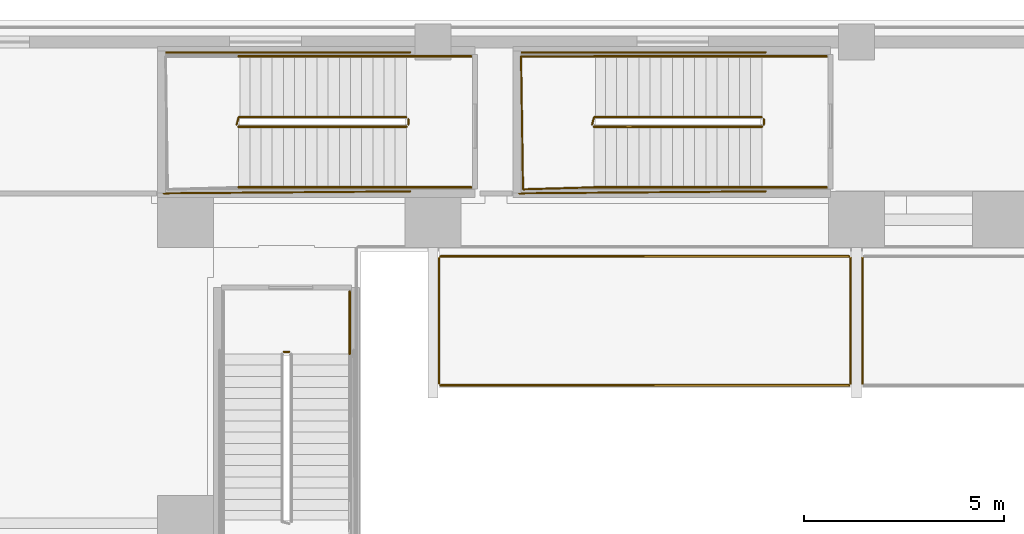
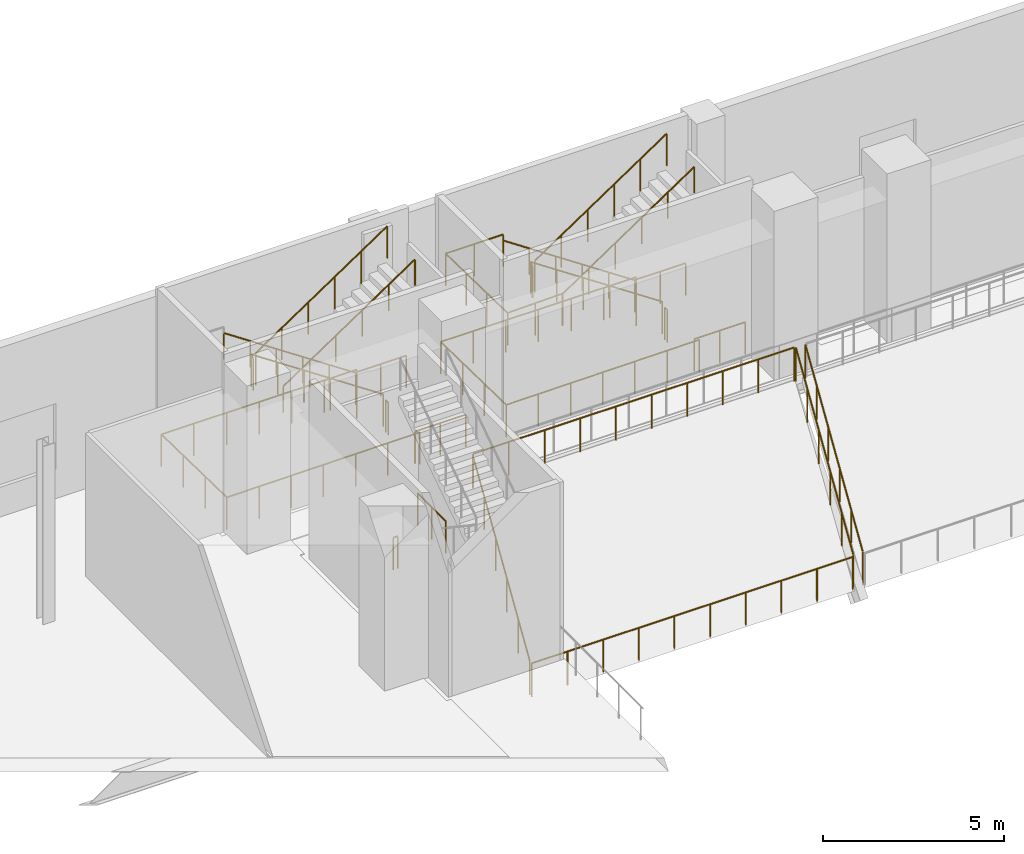
# One storey, part 23 of 30: 24 railings.
"""IFC4 building model written with IfcOpenShell, lengths in metres."""

from ifc_helpers import new_model, si_unit, direction, frame, origin, origin_2d, place, context, subcontext, project, spatial, circle, extrude, material, layer, layer_set, type_object, element, save


model = new_model("IFC4")

# Units and contexts
model_context = context("Model", 3, precision=1e-05, world=origin(), true_north=direction((0.0, 1.0)))
body_context = subcontext(model_context, "Body", "Model", "MODEL_VIEW")
ifc_project = project(units=[si_unit("LENGTHUNIT", "METRE"), si_unit("AREAUNIT", "SQUARE_METRE"), si_unit("VOLUMEUNIT", "CUBIC_METRE"), si_unit("PLANEANGLEUNIT", "RADIAN"), si_unit("MASSUNIT", "GRAM", prefix="KILO")], contexts=[model_context])

# Site, building, storey
site_placement = place(None, origin())
site = spatial("IfcSite", under=ifc_project, at=site_placement, CompositionType="ELEMENT")
building_placement = place(site_placement, origin())
building = spatial("IfcBuilding", under=site, at=building_placement, Name="Ndaravel Arena Tower", CompositionType="ELEMENT")
storey_placement = place(building_placement, frame((0.0, 0.0, 6.0)))
storey = spatial("IfcBuildingStorey", under=building, at=storey_placement, Name="L01", CompositionType="ELEMENT", Elevation=6.0)

# Railings
ifc_material_1 = material(Name="Steel S355", Category="steel")
ifc_layer_1 = layer(ifc_material_1, 0.06005859375)
ifc_layer_set_1 = layer_set([ifc_layer_1], Name="Steel S355")
railing_type_1 = type_object("IfcRailingType", Name="RAIL-STAIR-GD1100", PredefinedType="GUARDRAIL", material=ifc_layer_set_1)
railing_1_placement = place(storey_placement, frame((19.330078125, 45.570068359375, 0.1875)))
element("IfcRailing", 1, at=railing_1_placement, inside=storey, type_object=railing_type_1, Name="L01 ST-A08 stair guard 1", PredefinedType="GUARDRAIL", context=body_context, shape_type="SweptSolid", body=[
    extrude(circle(Radius=0.02392578125, at=origin_2d()), frame((0.0, 0.0, 1.076171875), z_axis=(-0.830919138977, 0.0, 0.55639319234), x_axis=(0.0, -1.0, 0.0)), (0.0, 0.0, 1.0), 5.054931640625),
    extrude(circle(Radius=0.02392578125, at=origin_2d()), frame((-4.2001953125, 0.0, 3.888671875), z_axis=(-0.253331722487, -0.967379469692, 0.0), x_axis=(0.967379469692, -0.253331722487, 0.0)), (0.0, 0.0, 1.0), 0.196533203125),
    extrude(circle(Radius=0.02099609375, at=origin_2d()), origin(), (0.0, 0.0, 1.0), 1.052001953125),
    extrude(circle(Radius=0.02099609375, at=origin_2d()), frame((-0.840087890625, 0.0, 0.5625)), (0.0, 0.0, 1.0), 1.052001953125),
    extrude(circle(Radius=0.02099609375, at=origin_2d()), frame((-1.68017578125, 0.0, 1.125)), (0.0, 0.0, 1.0), 1.052001953125),
    extrude(circle(Radius=0.02099609375, at=origin_2d()), frame((-2.52001953125, 0.0, 1.6875)), (0.0, 0.0, 1.0), 1.052001953125),
    extrude(circle(Radius=0.02099609375, at=origin_2d()), frame((-3.360107421875, 0.0, 2.25)), (0.0, 0.0, 1.0), 1.052001953125),
    extrude(circle(Radius=0.02099609375, at=origin_2d()), frame((-4.2001953125, 0.0, 2.8125)), (0.0, 0.0, 1.0), 1.052001953125),
    extrude(circle(Radius=0.02099609375, at=origin_2d()), frame((-4.25, -0.190185546875, 2.8125)), (0.0, 0.0, 1.0), 1.052001953125),
])
railing_2_placement = place(storey_placement, frame((15.1298828125, 45.330078125, 3.1875)))
element("IfcRailing", 2, at=railing_2_placement, inside=storey, type_object=railing_type_1, Name="L01 ST-A08 stair guard 3", PredefinedType="GUARDRAIL", context=body_context, shape_type="SweptSolid", body=[
    extrude(circle(Radius=0.02392578125, at=origin_2d()), frame((0.0, 0.0, 1.076171875), z_axis=(0.830919138977, 0.0, 0.55639319234), x_axis=(0.0, 1.0, 0.0)), (0.0, 0.0, 1.0), 5.054931640625),
    extrude(circle(Radius=0.02099609375, at=origin_2d()), origin(), (0.0, 0.0, 1.0), 1.052001953125),
    extrude(circle(Radius=0.02099609375, at=origin_2d()), frame((0.840087890625, 0.0, 0.5625)), (0.0, 0.0, 1.0), 1.052001953125),
    extrude(circle(Radius=0.02099609375, at=origin_2d()), frame((1.68017578125, 0.0, 1.125)), (0.0, 0.0, 1.0), 1.052001953125),
    extrude(circle(Radius=0.02099609375, at=origin_2d()), frame((2.52001953125, 0.0, 1.6875)), (0.0, 0.0, 1.0), 1.052001953125),
    extrude(circle(Radius=0.02099609375, at=origin_2d()), frame((3.360107421875, 0.0, 2.25)), (0.0, 0.0, 1.0), 1.052001953125),
    extrude(circle(Radius=0.02099609375, at=origin_2d()), frame((4.2001953125, 0.0, 2.8125)), (0.0, 0.0, 1.0), 1.052001953125),
])
railing_3_placement = place(storey_placement, frame((19.3798828125, 45.52001953125, 0.0)))
element("IfcRailing", 3, at=railing_3_placement, inside=storey, type_object=railing_type_1, Name="L01 ST-A08 stair guard 4", PredefinedType="GUARDRAIL", context=body_context, shape_type="SweptSolid", body=[
    extrude(circle(Radius=0.02392578125, at=origin_2d()), frame((0.0, 0.0, 1.076171875), z_axis=(0.0, -1.0, 0.0), x_axis=(1.0, 0.0, 0.0)), (0.0, 0.0, 1.0), 0.14013671875),
    extrude(circle(Radius=0.02099609375, at=origin_2d()), origin(), (0.0, 0.0, 1.0), 1.052001953125),
    extrude(circle(Radius=0.02099609375, at=origin_2d()), frame((0.0, -0.14013671875, 0.0)), (0.0, 0.0, 1.0), 1.052001953125),
])
for number, where, name in (
    (4, (20.949951171875, 47.090087890625, 0.0), "L01 ST-A08 stair guard 5"),
    (5, (20.949951171875, 43.81005859375, 0.0), "L01 ST-A08 stair guard 6"),
):
    element("IfcRailing", number, at=place(storey_placement, frame(where)), inside=storey, type_object=railing_type_1, Name=name, PredefinedType="GUARDRAIL", context=body_context, shape_type="SweptSolid", body=[
        extrude(circle(Radius=0.02392578125, at=origin_2d()), frame((0.0, 0.0, 1.076171875), z_axis=(-1.0, 0.0, 0.0), x_axis=(0.0, -1.0, 0.0)), (0.0, 0.0, 1.0), 1.619873046875),
        extrude(circle(Radius=0.02099609375, at=origin_2d()), origin(), (0.0, 0.0, 1.0), 1.052001953125),
        extrude(circle(Radius=0.02099609375, at=origin_2d()), frame((-0.81005859375, 0.0, 0.0)), (0.0, 0.0, 1.0), 1.052001953125),
        extrude(circle(Radius=0.02099609375, at=origin_2d()), frame((-1.619873046875, 0.0, 0.0)), (0.0, 0.0, 1.0), 1.052001953125),
    ])
railing_4_placement = place(storey_placement, frame((19.429931640625, 47.18994140625, 0.0)))
element("IfcRailing", 6, at=railing_4_placement, inside=storey, type_object=railing_type_1, Name="L01 ST-A08 stair guard 7", PredefinedType="GUARDRAIL", context=body_context, shape_type="SweptSolid", body=[
    extrude(circle(Radius=0.02392578125, at=origin_2d()), frame((0.0, 0.0, 1.076171875), z_axis=(-1.0, 0.0, 0.0), x_axis=(0.0, -1.0, 0.0)), (0.0, 0.0, 1.0), 6.22998046875),
    extrude(circle(Radius=0.02392578125, at=origin_2d()), frame((-6.22998046875, 0.0, 1.076171875), z_axis=(0.014176595818, -0.999899507016, 0.0), x_axis=(0.999899507016, 0.014176595818, 0.0)), (0.0, 0.0, 1.0), 3.5302734375),
    extrude(circle(Radius=0.02392578125, at=origin_2d()), frame((-6.179931640625, -3.530029296875, 1.076171875), z_axis=(0.999967207908, 0.008098339889, 0.0), x_axis=(-0.008098339889, 0.999967207908, 0.0)), (0.0, 0.0, 1.0), 6.18017578125),
    extrude(circle(Radius=0.02099609375, at=origin_2d()), origin(), (0.0, 0.0, 1.0), 1.052001953125),
    extrude(circle(Radius=0.02099609375, at=origin_2d()), frame((-1.038330078125, 0.0, 0.0)), (0.0, 0.0, 1.0), 1.052001953125),
    extrude(circle(Radius=0.02099609375, at=origin_2d()), frame((-2.07666015625, 0.0, 0.0)), (0.0, 0.0, 1.0), 1.052001953125),
    extrude(circle(Radius=0.02099609375, at=origin_2d()), frame((-3.114990234375, 0.0, 0.0)), (0.0, 0.0, 1.0), 1.052001953125),
    extrude(circle(Radius=0.02099609375, at=origin_2d()), frame((-4.1533203125, 0.0, 0.0)), (0.0, 0.0, 1.0), 1.052001953125),
    extrude(circle(Radius=0.02099609375, at=origin_2d()), frame((-5.191650390625, 0.0, 0.0)), (0.0, 0.0, 1.0), 1.052001953125),
    extrude(circle(Radius=0.02099609375, at=origin_2d()), frame((-6.22998046875, 0.0, 0.0)), (0.0, 0.0, 1.0), 1.052001953125),
    extrude(circle(Radius=0.02099609375, at=origin_2d()), frame((-6.21337890625, -1.1767578125, 0.0)), (0.0, 0.0, 1.0), 1.052001953125),
    extrude(circle(Radius=0.02099609375, at=origin_2d()), frame((-6.196533203125, -2.353271484375, 0.0)), (0.0, 0.0, 1.0), 1.052001953125),
    extrude(circle(Radius=0.02099609375, at=origin_2d()), frame((-6.179931640625, -3.530029296875, 0.0)), (0.0, 0.0, 1.0), 1.052001953125),
    extrude(circle(Radius=0.02099609375, at=origin_2d()), frame((-5.14990234375, -3.521728515625, 0.0)), (0.0, 0.0, 1.0), 1.052001953125),
    extrude(circle(Radius=0.02099609375, at=origin_2d()), frame((-4.119873046875, -3.513427734375, 0.0)), (0.0, 0.0, 1.0), 1.052001953125),
    extrude(circle(Radius=0.02099609375, at=origin_2d()), frame((-3.08984375, -3.5048828125, 0.0)), (0.0, 0.0, 1.0), 1.052001953125),
    extrude(circle(Radius=0.02099609375, at=origin_2d()), frame((-2.06005859375, -3.49658203125, 0.0)), (0.0, 0.0, 1.0), 1.052001953125),
    extrude(circle(Radius=0.02099609375, at=origin_2d()), frame((-1.030029296875, -3.48828125, 0.0)), (0.0, 0.0, 1.0), 1.052001953125),
    extrude(circle(Radius=0.02099609375, at=origin_2d()), frame((0.0, -3.47998046875, 0.0)), (0.0, 0.0, 1.0), 1.052001953125),
])
railing_5_placement = place(storey_placement, frame((28.22998046875, 45.570068359375, 0.1875)))
element("IfcRailing", 7, at=railing_5_placement, inside=storey, type_object=railing_type_1, Name="L01 ST-A09 stair guard 1", PredefinedType="GUARDRAIL", context=body_context, shape_type="SweptSolid", body=[
    extrude(circle(Radius=0.02392578125, at=origin_2d()), frame((0.0, 0.0, 1.076171875), z_axis=(-0.830904186295, 0.0, 0.556415522067), x_axis=(0.0, -1.0, 0.0)), (0.0, 0.0, 1.0), 5.0546875),
    extrude(circle(Radius=0.02392578125, at=origin_2d()), frame((-4.199951171875, 0.0, 3.888671875), z_axis=(-0.25449329928, -0.967074537263, 0.0), x_axis=(0.967074537263, -0.25449329928, 0.0)), (0.0, 0.0, 1.0), 0.19677734375),
    extrude(circle(Radius=0.02099609375, at=origin_2d()), origin(), (0.0, 0.0, 1.0), 1.052001953125),
    extrude(circle(Radius=0.02099609375, at=origin_2d()), frame((-0.840087890625, 0.0, 0.5625)), (0.0, 0.0, 1.0), 1.052001953125),
    extrude(circle(Radius=0.02099609375, at=origin_2d()), frame((-1.679931640625, 0.0, 1.125)), (0.0, 0.0, 1.0), 1.052001953125),
    extrude(circle(Radius=0.02099609375, at=origin_2d()), frame((-2.52001953125, 0.0, 1.6875)), (0.0, 0.0, 1.0), 1.052001953125),
    extrude(circle(Radius=0.02099609375, at=origin_2d()), frame((-3.35986328125, 0.0, 2.25)), (0.0, 0.0, 1.0), 1.052001953125),
    extrude(circle(Radius=0.02099609375, at=origin_2d()), frame((-4.199951171875, 0.0, 2.8125)), (0.0, 0.0, 1.0), 1.052001953125),
    extrude(circle(Radius=0.02099609375, at=origin_2d()), frame((-4.25, -0.190185546875, 2.8125)), (0.0, 0.0, 1.0), 1.052001953125),
])
railing_6_placement = place(storey_placement, frame((24.030029296875, 47.090087890625, 3.0)))
element("IfcRailing", 8, at=railing_6_placement, inside=storey, type_object=railing_type_1, Name="L01 ST-A09 stair guard 2", PredefinedType="GUARDRAIL", context=body_context, shape_type="SweptSolid", body=[
    extrude(circle(Radius=0.02392578125, at=origin_2d()), frame((0.0, 0.0, 1.076171875), z_axis=(-1.0, 0.0, 0.0), x_axis=(0.0, -1.0, 0.0)), (0.0, 0.0, 1.0), 1.830078125),
    extrude(circle(Radius=0.02392578125, at=origin_2d()), frame((-1.830078125, 0.0, 1.076171875), z_axis=(0.015027628384, -0.999887078817, 0.0), x_axis=(0.999887078817, 0.015027628384, 0.0)), (0.0, 0.0, 1.0), 3.33056640625),
    extrude(circle(Radius=0.02392578125, at=origin_2d()), frame((-1.780029296875, -3.330078125, 1.076171875), z_axis=(0.999604955407, 0.028105748986, 0.0), x_axis=(-0.028105748986, 0.999604955407, 0.0)), (0.0, 0.0, 1.0), 1.78076171875),
    extrude(circle(Radius=0.02099609375, at=origin_2d()), origin(), (0.0, 0.0, 1.0), 1.052001953125),
    extrude(circle(Radius=0.02099609375, at=origin_2d()), frame((-0.9150390625, 0.0, 0.0)), (0.0, 0.0, 1.0), 1.052001953125),
    extrude(circle(Radius=0.02099609375, at=origin_2d()), frame((-1.830078125, 0.0, 0.0)), (0.0, 0.0, 1.0), 1.052001953125),
    extrude(circle(Radius=0.02099609375, at=origin_2d()), frame((-1.8134765625, -1.110107421875, 0.0)), (0.0, 0.0, 1.0), 1.052001953125),
    extrude(circle(Radius=0.02099609375, at=origin_2d()), frame((-1.796630859375, -2.219970703125, 0.0)), (0.0, 0.0, 1.0), 1.052001953125),
    extrude(circle(Radius=0.02099609375, at=origin_2d()), frame((-1.780029296875, -3.330078125, 0.0)), (0.0, 0.0, 1.0), 1.052001953125),
    extrude(circle(Radius=0.02099609375, at=origin_2d()), frame((-0.89013671875, -3.30517578125, 0.0)), (0.0, 0.0, 1.0), 1.052001953125),
    extrude(circle(Radius=0.02099609375, at=origin_2d()), frame((0.0, -3.280029296875, 0.0)), (0.0, 0.0, 1.0), 1.052001953125),
])
railing_7_placement = place(storey_placement, frame((24.030029296875, 45.330078125, 3.1875)))
element("IfcRailing", 9, at=railing_7_placement, inside=storey, type_object=railing_type_1, Name="L01 ST-A09 stair guard 3", PredefinedType="GUARDRAIL", context=body_context, shape_type="SweptSolid", body=[
    extrude(circle(Radius=0.02392578125, at=origin_2d()), frame((0.0, 0.0, 1.076171875), z_axis=(0.830904186295, 0.0, 0.556415522067), x_axis=(0.0, 1.0, 0.0)), (0.0, 0.0, 1.0), 5.0546875),
    extrude(circle(Radius=0.02099609375, at=origin_2d()), origin(), (0.0, 0.0, 1.0), 1.052001953125),
    extrude(circle(Radius=0.02099609375, at=origin_2d()), frame((0.840087890625, 0.0, 0.5625)), (0.0, 0.0, 1.0), 1.052001953125),
    extrude(circle(Radius=0.02099609375, at=origin_2d()), frame((1.679931640625, 0.0, 1.125)), (0.0, 0.0, 1.0), 1.052001953125),
    extrude(circle(Radius=0.02099609375, at=origin_2d()), frame((2.52001953125, 0.0, 1.6875)), (0.0, 0.0, 1.0), 1.052001953125),
    extrude(circle(Radius=0.02099609375, at=origin_2d()), frame((3.35986328125, 0.0, 2.25)), (0.0, 0.0, 1.0), 1.052001953125),
    extrude(circle(Radius=0.02099609375, at=origin_2d()), frame((4.199951171875, 0.0, 2.8125)), (0.0, 0.0, 1.0), 1.052001953125),
])
railing_8_placement = place(storey_placement, frame((28.280029296875, 45.52001953125, 0.0)))
element("IfcRailing", 10, at=railing_8_placement, inside=storey, type_object=railing_type_1, Name="L01 ST-A09 stair guard 4", PredefinedType="GUARDRAIL", context=body_context, shape_type="SweptSolid", body=[
    extrude(circle(Radius=0.02392578125, at=origin_2d()), frame((0.0, 0.0, 1.076171875), z_axis=(0.0, -1.0, 0.0), x_axis=(1.0, 0.0, 0.0)), (0.0, 0.0, 1.0), 0.14013671875),
    extrude(circle(Radius=0.02099609375, at=origin_2d()), origin(), (0.0, 0.0, 1.0), 1.052001953125),
    extrude(circle(Radius=0.02099609375, at=origin_2d()), frame((0.0, -0.14013671875, 0.0)), (0.0, 0.0, 1.0), 1.052001953125),
])
for number, where, name in (
    (11, (29.85009765625, 47.090087890625, 0.0), "L01 ST-A09 stair guard 5"),
    (12, (29.85009765625, 43.81005859375, 0.0), "L01 ST-A09 stair guard 6"),
):
    element("IfcRailing", number, at=place(storey_placement, frame(where)), inside=storey, type_object=railing_type_1, Name=name, PredefinedType="GUARDRAIL", context=body_context, shape_type="SweptSolid", body=[
        extrude(circle(Radius=0.02392578125, at=origin_2d()), frame((0.0, 0.0, 1.076171875), z_axis=(-1.0, 0.0, 0.0), x_axis=(0.0, -1.0, 0.0)), (0.0, 0.0, 1.0), 1.6201171875),
        extrude(circle(Radius=0.02099609375, at=origin_2d()), origin(), (0.0, 0.0, 1.0), 1.052001953125),
        extrude(circle(Radius=0.02099609375, at=origin_2d()), frame((-0.81005859375, 0.0, 0.0)), (0.0, 0.0, 1.0), 1.052001953125),
        extrude(circle(Radius=0.02099609375, at=origin_2d()), frame((-1.6201171875, 0.0, 0.0)), (0.0, 0.0, 1.0), 1.052001953125),
    ])
railing_9_placement = place(storey_placement, frame((28.330078125, 47.18994140625, 0.0)))
element("IfcRailing", 13, at=railing_9_placement, inside=storey, type_object=railing_type_1, Name="L01 ST-A09 stair guard 7", PredefinedType="GUARDRAIL", context=body_context, shape_type="SweptSolid", body=[
    extrude(circle(Radius=0.02392578125, at=origin_2d()), frame((0.0, 0.0, 1.076171875), z_axis=(-1.0, 0.0, 0.0), x_axis=(0.0, -1.0, 0.0)), (0.0, 0.0, 1.0), 6.22998046875),
    extrude(circle(Radius=0.02392578125, at=origin_2d()), frame((-6.22998046875, 0.0, 1.076171875), z_axis=(0.014107455489, -0.999900484898, 0.0), x_axis=(0.999900484898, 0.014107455489, 0.0)), (0.0, 0.0, 1.0), 3.5302734375),
    extrude(circle(Radius=0.02392578125, at=origin_2d()), frame((-6.18017578125, -3.530029296875, 1.076171875), z_axis=(0.999967210499, 0.008098019995, 0.0), x_axis=(-0.008098019995, 0.999967210499, 0.0)), (0.0, 0.0, 1.0), 6.180419921875),
    extrude(circle(Radius=0.02099609375, at=origin_2d()), origin(), (0.0, 0.0, 1.0), 1.052001953125),
    extrude(circle(Radius=0.02099609375, at=origin_2d()), frame((-1.038330078125, 0.0, 0.0)), (0.0, 0.0, 1.0), 1.052001953125),
    extrude(circle(Radius=0.02099609375, at=origin_2d()), frame((-2.07666015625, 0.0, 0.0)), (0.0, 0.0, 1.0), 1.052001953125),
    extrude(circle(Radius=0.02099609375, at=origin_2d()), frame((-3.114990234375, 0.0, 0.0)), (0.0, 0.0, 1.0), 1.052001953125),
    extrude(circle(Radius=0.02099609375, at=origin_2d()), frame((-4.1533203125, 0.0, 0.0)), (0.0, 0.0, 1.0), 1.052001953125),
    extrude(circle(Radius=0.02099609375, at=origin_2d()), frame((-5.191650390625, 0.0, 0.0)), (0.0, 0.0, 1.0), 1.052001953125),
    extrude(circle(Radius=0.02099609375, at=origin_2d()), frame((-6.22998046875, 0.0, 0.0)), (0.0, 0.0, 1.0), 1.052001953125),
    extrude(circle(Radius=0.02099609375, at=origin_2d()), frame((-6.21337890625, -1.1767578125, 0.0)), (0.0, 0.0, 1.0), 1.052001953125),
    extrude(circle(Radius=0.02099609375, at=origin_2d()), frame((-6.19677734375, -2.353271484375, 0.0)), (0.0, 0.0, 1.0), 1.052001953125),
    extrude(circle(Radius=0.02099609375, at=origin_2d()), frame((-6.18017578125, -3.530029296875, 0.0)), (0.0, 0.0, 1.0), 1.052001953125),
    extrude(circle(Radius=0.02099609375, at=origin_2d()), frame((-5.150146484375, -3.521728515625, 0.0)), (0.0, 0.0, 1.0), 1.052001953125),
    extrude(circle(Radius=0.02099609375, at=origin_2d()), frame((-4.1201171875, -3.513427734375, 0.0)), (0.0, 0.0, 1.0), 1.052001953125),
    extrude(circle(Radius=0.02099609375, at=origin_2d()), frame((-3.090087890625, -3.5048828125, 0.0)), (0.0, 0.0, 1.0), 1.052001953125),
    extrude(circle(Radius=0.02099609375, at=origin_2d()), frame((-2.06005859375, -3.49658203125, 0.0)), (0.0, 0.0, 1.0), 1.052001953125),
    extrude(circle(Radius=0.02099609375, at=origin_2d()), frame((-1.030029296875, -3.48828125, 0.0)), (0.0, 0.0, 1.0), 1.052001953125),
    extrude(circle(Radius=0.02099609375, at=origin_2d()), frame((0.0, -3.47998046875, 0.0)), (0.0, 0.0, 1.0), 1.052001953125),
])
railing_10_placement = place(storey_placement, frame((16.260009765625, 39.68994140625, 0.0)))
element("IfcRailing", 14, at=railing_10_placement, inside=storey, type_object=railing_type_1, Name="L01 ST-VOM-2 stair guard 4", PredefinedType="GUARDRAIL", context=body_context, shape_type="SweptSolid", body=[
    extrude(circle(Radius=0.02392578125, at=origin_2d()), frame((0.0, 0.0, 1.076171875), z_axis=(1.0, 0.0, 0.0), x_axis=(0.0, 1.0, 0.0)), (0.0, 0.0, 1.0), 0.139892578125),
    extrude(circle(Radius=0.02099609375, at=origin_2d()), origin(), (0.0, 0.0, 1.0), 1.052001953125),
    extrude(circle(Radius=0.02099609375, at=origin_2d()), frame((0.139892578125, 0.0, 0.0)), (0.0, 0.0, 1.0), 1.052001953125),
])
railing_11_placement = place(storey_placement, frame((17.909912109375, 41.199951171875, 0.0)))
element("IfcRailing", 15, at=railing_11_placement, inside=storey, type_object=railing_type_1, Name="L01 ST-VOM-2 stair guard 6", PredefinedType="GUARDRAIL", context=body_context, shape_type="SweptSolid", body=[
    extrude(circle(Radius=0.02392578125, at=origin_2d()), frame((0.0, 0.0, 1.076171875), z_axis=(0.0, -1.0, 0.0), x_axis=(1.0, 0.0, 0.0)), (0.0, 0.0, 1.0), 1.56005859375),
    extrude(circle(Radius=0.02099609375, at=origin_2d()), origin(), (0.0, 0.0, 1.0), 1.052001953125),
    extrude(circle(Radius=0.02099609375, at=origin_2d()), frame((0.0, -0.780029296875, 0.0)), (0.0, 0.0, 1.0), 1.052001953125),
    extrude(circle(Radius=0.02099609375, at=origin_2d()), frame((0.0, -1.56005859375, 0.0)), (0.0, 0.0, 1.0), 1.052001953125),
])
ifc_material_2 = material(Name="Steel S355", Category="steel")
ifc_layer_2 = layer(ifc_material_2, 0.050048828125)
ifc_layer_set_2 = layer_set([ifc_layer_2], Name="Steel S355")
railing_type_2 = type_object("IfcRailingType", Name="RAIL-STAIR-HR920", PredefinedType="HANDRAIL", material=ifc_layer_set_2)
railing_12_placement = place(storey_placement, frame((19.330078125, 47.090087890625, 0.1875)))
element("IfcRailing", 16, at=railing_12_placement, inside=storey, type_object=railing_type_2, Name="L01 ST-A08 stair handrail 1", PredefinedType="HANDRAIL", context=body_context, shape_type="SweptSolid", body=[
    extrude(circle(Radius=0.02392578125, at=origin_2d()), frame((0.0, 0.0, 0.8759765625), z_axis=(-0.830919138977, 0.0, 0.55639319234), x_axis=(0.0, -1.0, 0.0)), (0.0, 0.0, 1.0), 5.054931640625),
    extrude(circle(Radius=0.02099609375, at=origin_2d()), origin(), (0.0, 0.0, 1.0), 0.851806640625),
    extrude(circle(Radius=0.02099609375, at=origin_2d()), frame((-0.840087890625, 0.0, 0.5625)), (0.0, 0.0, 1.0), 0.851806640625),
    extrude(circle(Radius=0.02099609375, at=origin_2d()), frame((-1.68017578125, 0.0, 1.125)), (0.0, 0.0, 1.0), 0.851806640625),
    extrude(circle(Radius=0.02099609375, at=origin_2d()), frame((-2.52001953125, 0.0, 1.6875)), (0.0, 0.0, 1.0), 0.851806640625),
    extrude(circle(Radius=0.02099609375, at=origin_2d()), frame((-3.360107421875, 0.0, 2.25)), (0.0, 0.0, 1.0), 0.851806640625),
    extrude(circle(Radius=0.02099609375, at=origin_2d()), frame((-4.2001953125, 0.0, 2.8125)), (0.0, 0.0, 1.0), 0.851806640625),
])
railing_13_placement = place(storey_placement, frame((15.1298828125, 43.81005859375, 3.1875)))
element("IfcRailing", 17, at=railing_13_placement, inside=storey, type_object=railing_type_2, Name="L01 ST-A08 stair handrail 2", PredefinedType="HANDRAIL", context=body_context, shape_type="SweptSolid", body=[
    extrude(circle(Radius=0.02392578125, at=origin_2d()), frame((0.0, 0.0, 0.8759765625), z_axis=(0.830919138977, 0.0, 0.55639319234), x_axis=(0.0, 1.0, 0.0)), (0.0, 0.0, 1.0), 5.054931640625),
    extrude(circle(Radius=0.02099609375, at=origin_2d()), origin(), (0.0, 0.0, 1.0), 0.851806640625),
    extrude(circle(Radius=0.02099609375, at=origin_2d()), frame((0.840087890625, 0.0, 0.5625)), (0.0, 0.0, 1.0), 0.851806640625),
    extrude(circle(Radius=0.02099609375, at=origin_2d()), frame((1.68017578125, 0.0, 1.125)), (0.0, 0.0, 1.0), 0.851806640625),
    extrude(circle(Radius=0.02099609375, at=origin_2d()), frame((2.52001953125, 0.0, 1.6875)), (0.0, 0.0, 1.0), 0.851806640625),
    extrude(circle(Radius=0.02099609375, at=origin_2d()), frame((3.360107421875, 0.0, 2.25)), (0.0, 0.0, 1.0), 0.851806640625),
    extrude(circle(Radius=0.02099609375, at=origin_2d()), frame((4.2001953125, 0.0, 2.8125)), (0.0, 0.0, 1.0), 0.851806640625),
])
railing_14_placement = place(storey_placement, frame((28.22998046875, 47.090087890625, 0.1875)))
element("IfcRailing", 18, at=railing_14_placement, inside=storey, type_object=railing_type_2, Name="L01 ST-A09 stair handrail 1", PredefinedType="HANDRAIL", context=body_context, shape_type="SweptSolid", body=[
    extrude(circle(Radius=0.02392578125, at=origin_2d()), frame((0.0, 0.0, 0.8759765625), z_axis=(-0.830904186295, 0.0, 0.556415522067), x_axis=(0.0, -1.0, 0.0)), (0.0, 0.0, 1.0), 5.0546875),
    extrude(circle(Radius=0.02099609375, at=origin_2d()), origin(), (0.0, 0.0, 1.0), 0.851806640625),
    extrude(circle(Radius=0.02099609375, at=origin_2d()), frame((-0.840087890625, 0.0, 0.5625)), (0.0, 0.0, 1.0), 0.851806640625),
    extrude(circle(Radius=0.02099609375, at=origin_2d()), frame((-1.679931640625, 0.0, 1.125)), (0.0, 0.0, 1.0), 0.851806640625),
    extrude(circle(Radius=0.02099609375, at=origin_2d()), frame((-2.52001953125, 0.0, 1.6875)), (0.0, 0.0, 1.0), 0.851806640625),
    extrude(circle(Radius=0.02099609375, at=origin_2d()), frame((-3.35986328125, 0.0, 2.25)), (0.0, 0.0, 1.0), 0.851806640625),
    extrude(circle(Radius=0.02099609375, at=origin_2d()), frame((-4.199951171875, 0.0, 2.8125)), (0.0, 0.0, 1.0), 0.851806640625),
])
railing_15_placement = place(storey_placement, frame((24.030029296875, 43.81005859375, 3.1875)))
element("IfcRailing", 19, at=railing_15_placement, inside=storey, type_object=railing_type_2, Name="L01 ST-A09 stair handrail 2", PredefinedType="HANDRAIL", context=body_context, shape_type="SweptSolid", body=[
    extrude(circle(Radius=0.02392578125, at=origin_2d()), frame((0.0, 0.0, 0.8759765625), z_axis=(0.830904186295, 0.0, 0.556415522067), x_axis=(0.0, 1.0, 0.0)), (0.0, 0.0, 1.0), 5.0546875),
    extrude(circle(Radius=0.02099609375, at=origin_2d()), origin(), (0.0, 0.0, 1.0), 0.851806640625),
    extrude(circle(Radius=0.02099609375, at=origin_2d()), frame((0.840087890625, 0.0, 0.5625)), (0.0, 0.0, 1.0), 0.851806640625),
    extrude(circle(Radius=0.02099609375, at=origin_2d()), frame((1.679931640625, 0.0, 1.125)), (0.0, 0.0, 1.0), 0.851806640625),
    extrude(circle(Radius=0.02099609375, at=origin_2d()), frame((2.52001953125, 0.0, 1.6875)), (0.0, 0.0, 1.0), 0.851806640625),
    extrude(circle(Radius=0.02099609375, at=origin_2d()), frame((3.35986328125, 0.0, 2.25)), (0.0, 0.0, 1.0), 0.851806640625),
    extrude(circle(Radius=0.02099609375, at=origin_2d()), frame((4.199951171875, 0.0, 2.8125)), (0.0, 0.0, 1.0), 0.851806640625),
])
ifc_material_3 = material(Name="Glazing", Category="glass")
ifc_layer_3 = layer(ifc_material_3, 0.070068359375)
ifc_layer_set_3 = layer_set([ifc_layer_3], Name="Glazing")
railing_type_3 = type_object("IfcRailingType", Name="RAIL-TERRACE-1150", PredefinedType="BALUSTRADE", material=ifc_layer_set_3)
railing_16_placement = place(storey_placement, frame((20.14990234375, 42.050048828125, -0.050048828125)))
element("IfcRailing", 20, at=railing_16_placement, inside=storey, type_object=railing_type_3, Name="L01 Lower North Stand Guard 1W", PredefinedType="BALUSTRADE", context=body_context, shape_type="SweptSolid", body=[
    extrude(circle(Radius=0.02392578125, at=origin_2d()), frame((0.0, 0.0, 1.1259765625), z_axis=(0.0, -0.531223134667, -0.847231952416), x_axis=(1.0, 0.0, 0.0)), (0.0, 0.0, 1.0), 5.94873046875),
    extrude(circle(Radius=0.02099609375, at=origin_2d()), origin(), (0.0, 0.0, 1.0), 1.101806640625),
    extrude(circle(Radius=0.02099609375, at=origin_2d()), frame((0.0, -0.632080078125, -1.008056640625)), (0.0, 0.0, 1.0), 1.101806640625),
    extrude(circle(Radius=0.02099609375, at=origin_2d()), frame((0.0, -1.26416015625, -2.01611328125)), (0.0, 0.0, 1.0), 1.101806640625),
    extrude(circle(Radius=0.02099609375, at=origin_2d()), frame((0.0, -1.89599609375, -3.02392578125)), (0.0, 0.0, 1.0), 1.101806640625),
    extrude(circle(Radius=0.02099609375, at=origin_2d()), frame((0.0, -2.528076171875, -4.031982421875)), (0.0, 0.0, 1.0), 1.101806640625),
    extrude(circle(Radius=0.02099609375, at=origin_2d()), frame((0.0, -3.16015625, -5.0400390625)), (0.0, 0.0, 1.0), 1.101806640625),
])
railing_17_placement = place(storey_placement, frame((20.18994140625, 38.85009765625, -5.14990234375)))
element("IfcRailing", 21, at=railing_17_placement, inside=storey, type_object=railing_type_3, Name="L01 Lower North Stand Guard 1F", PredefinedType="BALUSTRADE", context=body_context, shape_type="SweptSolid", body=[
    extrude(circle(Radius=0.02392578125, at=origin_2d()), frame((0.0, 0.0, 1.1259765625), z_axis=(1.0, 0.0, 0.0), x_axis=(0.0, 1.0, 0.0)), (0.0, 0.0, 1.0), 10.219970703125),
    extrude(circle(Radius=0.02099609375, at=origin_2d()), origin(), (0.0, 0.0, 1.0), 1.101806640625),
    extrude(circle(Radius=0.02099609375, at=origin_2d()), frame((1.135498046875, 0.0, 0.0)), (0.0, 0.0, 1.0), 1.101806640625),
    extrude(circle(Radius=0.02099609375, at=origin_2d()), frame((2.27099609375, 0.0, 0.0)), (0.0, 0.0, 1.0), 1.101806640625),
    extrude(circle(Radius=0.02099609375, at=origin_2d()), frame((3.40673828125, 0.0, 0.0)), (0.0, 0.0, 1.0), 1.101806640625),
    extrude(circle(Radius=0.02099609375, at=origin_2d()), frame((4.542236328125, 0.0, 0.0)), (0.0, 0.0, 1.0), 1.101806640625),
    extrude(circle(Radius=0.02099609375, at=origin_2d()), frame((5.677734375, 0.0, 0.0)), (0.0, 0.0, 1.0), 1.101806640625),
    extrude(circle(Radius=0.02099609375, at=origin_2d()), frame((6.813232421875, 0.0, 0.0)), (0.0, 0.0, 1.0), 1.101806640625),
    extrude(circle(Radius=0.02099609375, at=origin_2d()), frame((7.948974609375, 0.0, 0.0)), (0.0, 0.0, 1.0), 1.101806640625),
    extrude(circle(Radius=0.02099609375, at=origin_2d()), frame((9.08447265625, 0.0, 0.0)), (0.0, 0.0, 1.0), 1.101806640625),
    extrude(circle(Radius=0.02099609375, at=origin_2d()), frame((10.219970703125, 0.0, 0.0)), (0.0, 0.0, 1.0), 1.101806640625),
])
railing_18_placement = place(storey_placement, frame((30.449951171875, 38.889892578125, -5.090087890625)))
element("IfcRailing", 22, at=railing_18_placement, inside=storey, type_object=railing_type_3, Name="L01 Lower North Stand Guard 1E", PredefinedType="BALUSTRADE", context=body_context, shape_type="SweptSolid", body=[
    extrude(circle(Radius=0.02392578125, at=origin_2d()), frame((0.0, 0.0, 1.1259765625), z_axis=(0.0, 0.531223134667, 0.847231952416), x_axis=(-1.0, 0.0, 0.0)), (0.0, 0.0, 1.0), 5.94873046875),
    extrude(circle(Radius=0.02099609375, at=origin_2d()), origin(), (0.0, 0.0, 1.0), 1.101806640625),
    extrude(circle(Radius=0.02099609375, at=origin_2d()), frame((0.0, 0.632080078125, 1.008056640625)), (0.0, 0.0, 1.0), 1.101806640625),
    extrude(circle(Radius=0.02099609375, at=origin_2d()), frame((0.0, 1.26416015625, 2.01611328125)), (0.0, 0.0, 1.0), 1.101806640625),
    extrude(circle(Radius=0.02099609375, at=origin_2d()), frame((0.0, 1.89599609375, 3.02392578125)), (0.0, 0.0, 1.0), 1.101806640625),
    extrude(circle(Radius=0.02099609375, at=origin_2d()), frame((0.0, 2.528076171875, 4.031982421875)), (0.0, 0.0, 1.0), 1.101806640625),
    extrude(circle(Radius=0.02099609375, at=origin_2d()), frame((0.0, 3.16015625, 5.0400390625)), (0.0, 0.0, 1.0), 1.101806640625),
])
railing_19_placement = place(storey_placement, frame((20.18994140625, 42.080078125, -0.050048828125)))
element("IfcRailing", 23, at=railing_19_placement, inside=storey, type_object=railing_type_3, Name="L01 Lower North Stand Guard 1T", PredefinedType="BALUSTRADE", context=body_context, shape_type="SweptSolid", body=[
    extrude(circle(Radius=0.02392578125, at=origin_2d()), frame((0.0, 0.0, 1.1259765625), z_axis=(1.0, 0.0, 0.0), x_axis=(0.0, 1.0, 0.0)), (0.0, 0.0, 1.0), 10.219970703125),
    extrude(circle(Radius=0.02099609375, at=origin_2d()), origin(), (0.0, 0.0, 1.0), 1.101806640625),
    extrude(circle(Radius=0.02099609375, at=origin_2d()), frame((1.135498046875, 0.0, 0.0)), (0.0, 0.0, 1.0), 1.101806640625),
    extrude(circle(Radius=0.02099609375, at=origin_2d()), frame((2.27099609375, 0.0, 0.0)), (0.0, 0.0, 1.0), 1.101806640625),
    extrude(circle(Radius=0.02099609375, at=origin_2d()), frame((3.40673828125, 0.0, 0.0)), (0.0, 0.0, 1.0), 1.101806640625),
    extrude(circle(Radius=0.02099609375, at=origin_2d()), frame((4.542236328125, 0.0, 0.0)), (0.0, 0.0, 1.0), 1.101806640625),
    extrude(circle(Radius=0.02099609375, at=origin_2d()), frame((5.677734375, 0.0, 0.0)), (0.0, 0.0, 1.0), 1.101806640625),
    extrude(circle(Radius=0.02099609375, at=origin_2d()), frame((6.813232421875, 0.0, 0.0)), (0.0, 0.0, 1.0), 1.101806640625),
    extrude(circle(Radius=0.02099609375, at=origin_2d()), frame((7.948974609375, 0.0, 0.0)), (0.0, 0.0, 1.0), 1.101806640625),
    extrude(circle(Radius=0.02099609375, at=origin_2d()), frame((9.08447265625, 0.0, 0.0)), (0.0, 0.0, 1.0), 1.101806640625),
    extrude(circle(Radius=0.02099609375, at=origin_2d()), frame((10.219970703125, 0.0, 0.0)), (0.0, 0.0, 1.0), 1.101806640625),
])
railing_20_placement = place(storey_placement, frame((30.75, 42.050048828125, -0.050048828125)))
element("IfcRailing", 24, at=railing_20_placement, inside=storey, type_object=railing_type_3, Name="L01 Lower North Stand Guard 2W", PredefinedType="BALUSTRADE", context=body_context, shape_type="SweptSolid", body=[
    extrude(circle(Radius=0.02392578125, at=origin_2d()), frame((0.0, 0.0, 1.1259765625), z_axis=(0.0, -0.531223134667, -0.847231952416), x_axis=(1.0, 0.0, 0.0)), (0.0, 0.0, 1.0), 5.94873046875),
    extrude(circle(Radius=0.02099609375, at=origin_2d()), origin(), (0.0, 0.0, 1.0), 1.101806640625),
    extrude(circle(Radius=0.02099609375, at=origin_2d()), frame((0.0, -0.632080078125, -1.008056640625)), (0.0, 0.0, 1.0), 1.101806640625),
    extrude(circle(Radius=0.02099609375, at=origin_2d()), frame((0.0, -1.26416015625, -2.01611328125)), (0.0, 0.0, 1.0), 1.101806640625),
    extrude(circle(Radius=0.02099609375, at=origin_2d()), frame((0.0, -1.89599609375, -3.02392578125)), (0.0, 0.0, 1.0), 1.101806640625),
    extrude(circle(Radius=0.02099609375, at=origin_2d()), frame((0.0, -2.528076171875, -4.031982421875)), (0.0, 0.0, 1.0), 1.101806640625),
    extrude(circle(Radius=0.02099609375, at=origin_2d()), frame((0.0, -3.16015625, -5.0400390625)), (0.0, 0.0, 1.0), 1.101806640625),
])

save(model, "model.ifc")
